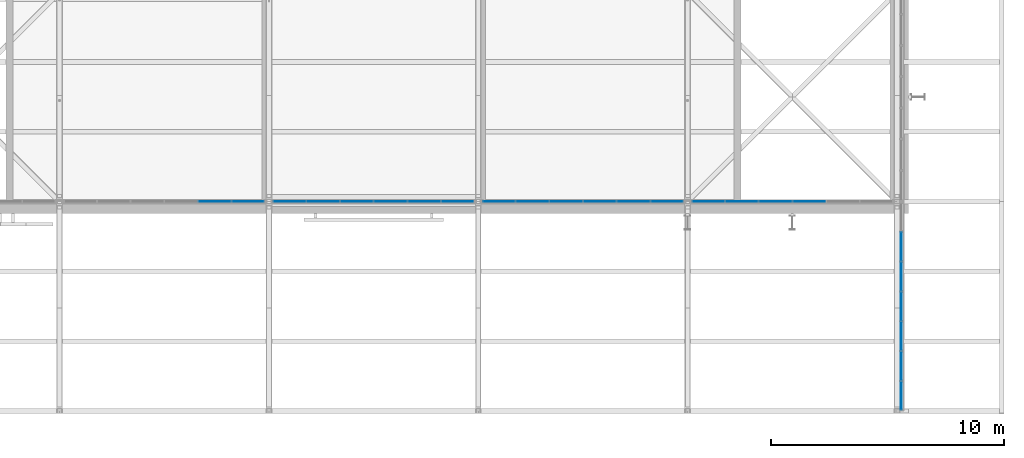
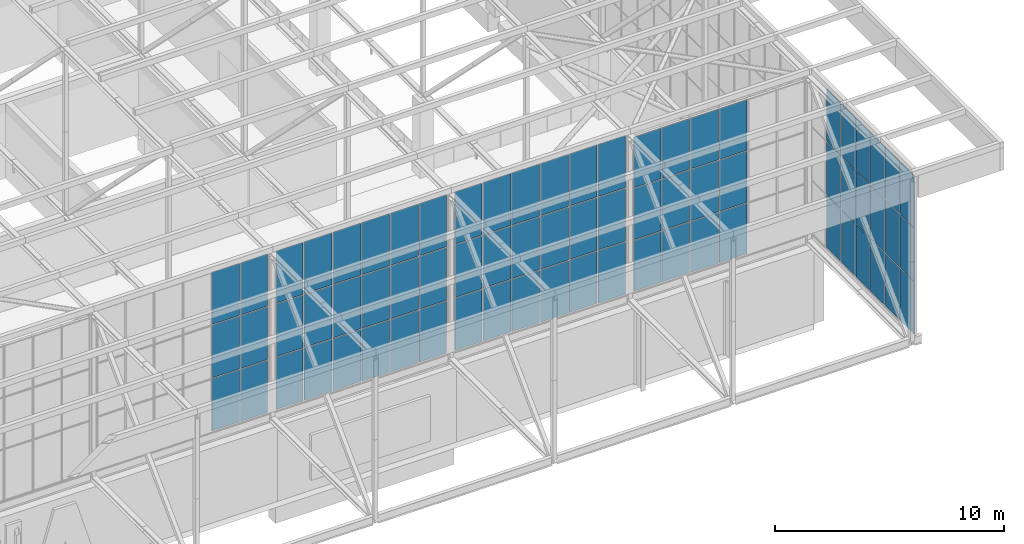
# One storey, part 152 of 646: 72 plates, 5 elements without a shape of their own.
"""IFC4 building model written with IfcOpenShell, lengths in metres."""

from ifc_helpers import new_model, si_unit, direction, frame, origin, origin_2d, place, context, subcontext, project, spatial, rectangle, extrude, material, layer, layer_set, type_object, element, aggregate, save


model = new_model("IFC4")

# Units and contexts
model_context = context("Model", 3, precision=1e-05, world=origin(), true_north=direction((0.0, 1.0)))
body_context = subcontext(model_context, "Body", "Model", "MODEL_VIEW")
ifc_project = project(units=[si_unit("LENGTHUNIT", "METRE"), si_unit("AREAUNIT", "SQUARE_METRE"), si_unit("VOLUMEUNIT", "CUBIC_METRE"), si_unit("PLANEANGLEUNIT", "RADIAN"), si_unit("MASSUNIT", "GRAM", prefix="KILO")], contexts=[model_context])

# Site, building, storey
site_placement = place(None, origin())
site = spatial("IfcSite", under=ifc_project, at=site_placement, CompositionType="ELEMENT")
building_placement = place(site_placement, origin())
building = spatial("IfcBuilding", under=site, at=building_placement, Name="Silverbay Arena", CompositionType="ELEMENT")
storey_placement = place(building_placement, frame((0.0, 0.0, 33.5)))
storey = spatial("IfcBuildingStorey", under=building, at=storey_placement, Name="L05", CompositionType="ELEMENT", Elevation=33.5)

# Curtain wall, plates
ifc_material_1 = material(Name="Aluminium framed glazing", Category="aluminium")
curtain_wall_type_1 = type_object("IfcCurtainWallType", Name="Curtain wall clerestory 8693 x 8540", PredefinedType="NOTDEFINED", material=ifc_material_1)
curtain_wall_1_placement = place(storey_placement, origin())
curtain_wall_1 = element("IfcCurtainWall", 1, at=curtain_wall_1_placement, inside=storey, type_object=curtain_wall_type_1, Name="ROOF CLERESTORY CURTAIN WALL south bay 14", PredefinedType="NOTDEFINED")
ifc_material_2 = material(Name="Laminated glass", Category="glass")
ifc_layer = layer(ifc_material_2, 0.028076171875)
ifc_layer_set = layer_set([ifc_layer], Name="Laminated glass")
plate_type = type_object("IfcPlateType", Name="Glass panel 28", PredefinedType="CURTAIN_PANEL", material=ifc_layer_set)
plate_1_placement = place(storey_placement, frame((177.673095703125, 18.0, 4.509765625), z_axis=(0.0, 0.0, 1.0), x_axis=(1.0, 0.0, 0.0)))
plate_1 = element("IfcPlate", 2, at=plate_1_placement, type_object=plate_type, Name="CW55 panel 5.1", PredefinedType="CURTAIN_PANEL", context=body_context, shape_type="SweptSolid", body=[
    extrude(rectangle(XDim=1.388671875, YDim=0.028076171875, at=origin_2d()), origin(), (0.0, 0.0, 1.0), 2.771728515625),
])
plate_2_placement = place(storey_placement, frame((177.673095703125, 18.0, 7.33154296875), z_axis=(0.0, 0.0, 1.0), x_axis=(1.0, 0.0, 0.0)))
plate_2 = element("IfcPlate", 3, at=plate_2_placement, type_object=plate_type, Name="CW55 panel 5.2", PredefinedType="CURTAIN_PANEL", context=body_context, shape_type="SweptSolid", body=[
    extrude(rectangle(XDim=1.388671875, YDim=0.028076171875, at=origin_2d()), origin(), (0.0, 0.0, 1.0), 2.796630859375),
])
plate_3_placement = place(storey_placement, frame((177.673095703125, 18.0, 10.17822265625), z_axis=(0.0, 0.0, 1.0), x_axis=(1.0, 0.0, 0.0)))
plate_3 = element("IfcPlate", 4, at=plate_3_placement, type_object=plate_type, Name="CW55 panel 5.3", PredefinedType="CURTAIN_PANEL", context=body_context, shape_type="SweptSolid", body=[
    extrude(rectangle(XDim=1.388671875, YDim=0.028076171875, at=origin_2d()), origin(), (0.0, 0.0, 1.0), 2.771728515625),
])
plate_4_placement = place(storey_placement, frame((179.10693359375, 18.0, 4.509765625), z_axis=(0.0, 0.0, 1.0), x_axis=(1.0, 0.0, 0.0)))
plate_4 = element("IfcPlate", 5, at=plate_4_placement, type_object=plate_type, Name="CW55 panel 6.1", PredefinedType="CURTAIN_PANEL", context=body_context, shape_type="SweptSolid", body=[
    extrude(rectangle(XDim=1.35888671875, YDim=0.028076171875, at=origin_2d()), origin(), (0.0, 0.0, 1.0), 2.771728515625),
])
plate_5_placement = place(storey_placement, frame((179.10693359375, 18.0, 7.33154296875), z_axis=(0.0, 0.0, 1.0), x_axis=(1.0, 0.0, 0.0)))
plate_5 = element("IfcPlate", 6, at=plate_5_placement, type_object=plate_type, Name="CW55 panel 6.2", PredefinedType="CURTAIN_PANEL", context=body_context, shape_type="SweptSolid", body=[
    extrude(rectangle(XDim=1.35888671875, YDim=0.028076171875, at=origin_2d()), origin(), (0.0, 0.0, 1.0), 2.796630859375),
])
plate_6_placement = place(storey_placement, frame((179.10693359375, 18.0, 10.17822265625), z_axis=(0.0, 0.0, 1.0), x_axis=(1.0, 0.0, 0.0)))
plate_6 = element("IfcPlate", 7, at=plate_6_placement, type_object=plate_type, Name="CW55 panel 6.3", PredefinedType="CURTAIN_PANEL", context=body_context, shape_type="SweptSolid", body=[
    extrude(rectangle(XDim=1.35888671875, YDim=0.028076171875, at=origin_2d()), origin(), (0.0, 0.0, 1.0), 2.771728515625),
])
aggregate(curtain_wall_1, [plate_1, plate_2, plate_3, plate_4, plate_5, plate_6])

curtain_wall_2_placement = place(storey_placement, origin())
curtain_wall_2 = element("IfcCurtainWall", 8, at=curtain_wall_2_placement, inside=storey, type_object=curtain_wall_type_1, Name="ROOF CLERESTORY CURTAIN WALL south bay 15", PredefinedType="NOTDEFINED")
plate_7_placement = place(storey_placement, frame((180.89306640625, 18.0, 4.509765625), z_axis=(0.0, 0.0, 1.0), x_axis=(1.0, 0.0, 0.0)))
plate_7 = element("IfcPlate", 9, at=plate_7_placement, type_object=plate_type, Name="CW55 panel 1.1", PredefinedType="CURTAIN_PANEL", context=body_context, shape_type="SweptSolid", body=[
    extrude(rectangle(XDim=1.35888671875, YDim=0.028076171875, at=origin_2d()), origin(), (0.0, 0.0, 1.0), 2.771728515625),
])
plate_8_placement = place(storey_placement, frame((180.89306640625, 18.0, 7.33154296875), z_axis=(0.0, 0.0, 1.0), x_axis=(1.0, 0.0, 0.0)))
plate_8 = element("IfcPlate", 10, at=plate_8_placement, type_object=plate_type, Name="CW55 panel 1.2", PredefinedType="CURTAIN_PANEL", context=body_context, shape_type="SweptSolid", body=[
    extrude(rectangle(XDim=1.35888671875, YDim=0.028076171875, at=origin_2d()), origin(), (0.0, 0.0, 1.0), 2.796630859375),
])
plate_9_placement = place(storey_placement, frame((180.89306640625, 18.0, 10.17822265625), z_axis=(0.0, 0.0, 1.0), x_axis=(1.0, 0.0, 0.0)))
plate_9 = element("IfcPlate", 11, at=plate_9_placement, type_object=plate_type, Name="CW55 panel 1.3", PredefinedType="CURTAIN_PANEL", context=body_context, shape_type="SweptSolid", body=[
    extrude(rectangle(XDim=1.35888671875, YDim=0.028076171875, at=origin_2d()), origin(), (0.0, 0.0, 1.0), 2.771728515625),
])
plate_10_placement = place(storey_placement, frame((182.326904296875, 18.0, 4.509765625), z_axis=(0.0, 0.0, 1.0), x_axis=(1.0, 0.0, 0.0)))
plate_10 = element("IfcPlate", 12, at=plate_10_placement, type_object=plate_type, Name="CW55 panel 2.1", PredefinedType="CURTAIN_PANEL", context=body_context, shape_type="SweptSolid", body=[
    extrude(rectangle(XDim=1.388671875, YDim=0.028076171875, at=origin_2d()), origin(), (0.0, 0.0, 1.0), 2.771728515625),
])
plate_11_placement = place(storey_placement, frame((182.326904296875, 18.0, 7.33154296875), z_axis=(0.0, 0.0, 1.0), x_axis=(1.0, 0.0, 0.0)))
plate_11 = element("IfcPlate", 13, at=plate_11_placement, type_object=plate_type, Name="CW55 panel 2.2", PredefinedType="CURTAIN_PANEL", context=body_context, shape_type="SweptSolid", body=[
    extrude(rectangle(XDim=1.388671875, YDim=0.028076171875, at=origin_2d()), origin(), (0.0, 0.0, 1.0), 2.796630859375),
])
plate_12_placement = place(storey_placement, frame((182.326904296875, 18.0, 10.17822265625), z_axis=(0.0, 0.0, 1.0), x_axis=(1.0, 0.0, 0.0)))
plate_12 = element("IfcPlate", 14, at=plate_12_placement, type_object=plate_type, Name="CW55 panel 2.3", PredefinedType="CURTAIN_PANEL", context=body_context, shape_type="SweptSolid", body=[
    extrude(rectangle(XDim=1.388671875, YDim=0.028076171875, at=origin_2d()), origin(), (0.0, 0.0, 1.0), 2.771728515625),
])
plate_13_placement = place(storey_placement, frame((183.775634765625, 18.0, 4.509765625), z_axis=(0.0, 0.0, 1.0), x_axis=(1.0, 0.0, 0.0)))
plate_13 = element("IfcPlate", 15, at=plate_13_placement, type_object=plate_type, Name="CW55 panel 3.1", PredefinedType="CURTAIN_PANEL", context=body_context, shape_type="SweptSolid", body=[
    extrude(rectangle(XDim=1.388671875, YDim=0.028076171875, at=origin_2d()), origin(), (0.0, 0.0, 1.0), 2.771728515625),
])
plate_14_placement = place(storey_placement, frame((183.775634765625, 18.0, 7.33154296875), z_axis=(0.0, 0.0, 1.0), x_axis=(1.0, 0.0, 0.0)))
plate_14 = element("IfcPlate", 16, at=plate_14_placement, type_object=plate_type, Name="CW55 panel 3.2", PredefinedType="CURTAIN_PANEL", context=body_context, shape_type="SweptSolid", body=[
    extrude(rectangle(XDim=1.388671875, YDim=0.028076171875, at=origin_2d()), origin(), (0.0, 0.0, 1.0), 2.796630859375),
])
plate_15_placement = place(storey_placement, frame((183.775634765625, 18.0, 10.17822265625), z_axis=(0.0, 0.0, 1.0), x_axis=(1.0, 0.0, 0.0)))
plate_15 = element("IfcPlate", 17, at=plate_15_placement, type_object=plate_type, Name="CW55 panel 3.3", PredefinedType="CURTAIN_PANEL", context=body_context, shape_type="SweptSolid", body=[
    extrude(rectangle(XDim=1.388671875, YDim=0.028076171875, at=origin_2d()), origin(), (0.0, 0.0, 1.0), 2.771728515625),
])
plate_16_placement = place(storey_placement, frame((185.224365234375, 18.0, 4.509765625), z_axis=(0.0, 0.0, 1.0), x_axis=(1.0, 0.0, 0.0)))
plate_16 = element("IfcPlate", 18, at=plate_16_placement, type_object=plate_type, Name="CW55 panel 4.1", PredefinedType="CURTAIN_PANEL", context=body_context, shape_type="SweptSolid", body=[
    extrude(rectangle(XDim=1.388671875, YDim=0.028076171875, at=origin_2d()), origin(), (0.0, 0.0, 1.0), 2.771728515625),
])
plate_17_placement = place(storey_placement, frame((185.224365234375, 18.0, 7.33154296875), z_axis=(0.0, 0.0, 1.0), x_axis=(1.0, 0.0, 0.0)))
plate_17 = element("IfcPlate", 19, at=plate_17_placement, type_object=plate_type, Name="CW55 panel 4.2", PredefinedType="CURTAIN_PANEL", context=body_context, shape_type="SweptSolid", body=[
    extrude(rectangle(XDim=1.388671875, YDim=0.028076171875, at=origin_2d()), origin(), (0.0, 0.0, 1.0), 2.796630859375),
])
plate_18_placement = place(storey_placement, frame((185.224365234375, 18.0, 10.17822265625), z_axis=(0.0, 0.0, 1.0), x_axis=(1.0, 0.0, 0.0)))
plate_18 = element("IfcPlate", 20, at=plate_18_placement, type_object=plate_type, Name="CW55 panel 4.3", PredefinedType="CURTAIN_PANEL", context=body_context, shape_type="SweptSolid", body=[
    extrude(rectangle(XDim=1.388671875, YDim=0.028076171875, at=origin_2d()), origin(), (0.0, 0.0, 1.0), 2.771728515625),
])
plate_19_placement = place(storey_placement, frame((186.673095703125, 18.0, 4.509765625), z_axis=(0.0, 0.0, 1.0), x_axis=(1.0, 0.0, 0.0)))
plate_19 = element("IfcPlate", 21, at=plate_19_placement, type_object=plate_type, Name="CW55 panel 5.1", PredefinedType="CURTAIN_PANEL", context=body_context, shape_type="SweptSolid", body=[
    extrude(rectangle(XDim=1.388671875, YDim=0.028076171875, at=origin_2d()), origin(), (0.0, 0.0, 1.0), 2.771728515625),
])
plate_20_placement = place(storey_placement, frame((186.673095703125, 18.0, 7.33154296875), z_axis=(0.0, 0.0, 1.0), x_axis=(1.0, 0.0, 0.0)))
plate_20 = element("IfcPlate", 22, at=plate_20_placement, type_object=plate_type, Name="CW55 panel 5.2", PredefinedType="CURTAIN_PANEL", context=body_context, shape_type="SweptSolid", body=[
    extrude(rectangle(XDim=1.388671875, YDim=0.028076171875, at=origin_2d()), origin(), (0.0, 0.0, 1.0), 2.796630859375),
])
plate_21_placement = place(storey_placement, frame((186.673095703125, 18.0, 10.17822265625), z_axis=(0.0, 0.0, 1.0), x_axis=(1.0, 0.0, 0.0)))
plate_21 = element("IfcPlate", 23, at=plate_21_placement, type_object=plate_type, Name="CW55 panel 5.3", PredefinedType="CURTAIN_PANEL", context=body_context, shape_type="SweptSolid", body=[
    extrude(rectangle(XDim=1.388671875, YDim=0.028076171875, at=origin_2d()), origin(), (0.0, 0.0, 1.0), 2.771728515625),
])
plate_22_placement = place(storey_placement, frame((188.10693359375, 18.0, 4.509765625), z_axis=(0.0, 0.0, 1.0), x_axis=(1.0, 0.0, 0.0)))
plate_22 = element("IfcPlate", 24, at=plate_22_placement, type_object=plate_type, Name="CW55 panel 6.1", PredefinedType="CURTAIN_PANEL", context=body_context, shape_type="SweptSolid", body=[
    extrude(rectangle(XDim=1.35888671875, YDim=0.028076171875, at=origin_2d()), origin(), (0.0, 0.0, 1.0), 2.771728515625),
])
plate_23_placement = place(storey_placement, frame((188.10693359375, 18.0, 7.33154296875), z_axis=(0.0, 0.0, 1.0), x_axis=(1.0, 0.0, 0.0)))
plate_23 = element("IfcPlate", 25, at=plate_23_placement, type_object=plate_type, Name="CW55 panel 6.2", PredefinedType="CURTAIN_PANEL", context=body_context, shape_type="SweptSolid", body=[
    extrude(rectangle(XDim=1.35888671875, YDim=0.028076171875, at=origin_2d()), origin(), (0.0, 0.0, 1.0), 2.796630859375),
])
plate_24_placement = place(storey_placement, frame((188.10693359375, 18.0, 10.17822265625), z_axis=(0.0, 0.0, 1.0), x_axis=(1.0, 0.0, 0.0)))
plate_24 = element("IfcPlate", 26, at=plate_24_placement, type_object=plate_type, Name="CW55 panel 6.3", PredefinedType="CURTAIN_PANEL", context=body_context, shape_type="SweptSolid", body=[
    extrude(rectangle(XDim=1.35888671875, YDim=0.028076171875, at=origin_2d()), origin(), (0.0, 0.0, 1.0), 2.771728515625),
])
aggregate(curtain_wall_2, [plate_7, plate_8, plate_9, plate_10, plate_11, plate_12, plate_13, plate_14, plate_15, plate_16, plate_17, plate_18, plate_19, plate_20, plate_21, plate_22, plate_23, plate_24])

curtain_wall_3_placement = place(storey_placement, origin())
curtain_wall_3 = element("IfcCurtainWall", 27, at=curtain_wall_3_placement, inside=storey, type_object=curtain_wall_type_1, Name="ROOF CLERESTORY CURTAIN WALL south bay 16", PredefinedType="NOTDEFINED")
plate_25_placement = place(storey_placement, frame((189.89306640625, 18.0, 4.509765625), z_axis=(0.0, 0.0, 1.0), x_axis=(1.0, 0.0, 0.0)))
plate_25 = element("IfcPlate", 28, at=plate_25_placement, type_object=plate_type, Name="CW55 panel 1.1", PredefinedType="CURTAIN_PANEL", context=body_context, shape_type="SweptSolid", body=[
    extrude(rectangle(XDim=1.35888671875, YDim=0.028076171875, at=origin_2d()), origin(), (0.0, 0.0, 1.0), 2.771728515625),
])
plate_26_placement = place(storey_placement, frame((189.89306640625, 18.0, 7.33154296875), z_axis=(0.0, 0.0, 1.0), x_axis=(1.0, 0.0, 0.0)))
plate_26 = element("IfcPlate", 29, at=plate_26_placement, type_object=plate_type, Name="CW55 panel 1.2", PredefinedType="CURTAIN_PANEL", context=body_context, shape_type="SweptSolid", body=[
    extrude(rectangle(XDim=1.35888671875, YDim=0.028076171875, at=origin_2d()), origin(), (0.0, 0.0, 1.0), 2.796630859375),
])
plate_27_placement = place(storey_placement, frame((189.89306640625, 18.0, 10.17822265625), z_axis=(0.0, 0.0, 1.0), x_axis=(1.0, 0.0, 0.0)))
plate_27 = element("IfcPlate", 30, at=plate_27_placement, type_object=plate_type, Name="CW55 panel 1.3", PredefinedType="CURTAIN_PANEL", context=body_context, shape_type="SweptSolid", body=[
    extrude(rectangle(XDim=1.35888671875, YDim=0.028076171875, at=origin_2d()), origin(), (0.0, 0.0, 1.0), 2.771728515625),
])
plate_28_placement = place(storey_placement, frame((191.326904296875, 18.0, 4.509765625), z_axis=(0.0, 0.0, 1.0), x_axis=(1.0, 0.0, 0.0)))
plate_28 = element("IfcPlate", 31, at=plate_28_placement, type_object=plate_type, Name="CW55 panel 2.1", PredefinedType="CURTAIN_PANEL", context=body_context, shape_type="SweptSolid", body=[
    extrude(rectangle(XDim=1.388671875, YDim=0.028076171875, at=origin_2d()), origin(), (0.0, 0.0, 1.0), 2.771728515625),
])
plate_29_placement = place(storey_placement, frame((191.326904296875, 18.0, 7.33154296875), z_axis=(0.0, 0.0, 1.0), x_axis=(1.0, 0.0, 0.0)))
plate_29 = element("IfcPlate", 32, at=plate_29_placement, type_object=plate_type, Name="CW55 panel 2.2", PredefinedType="CURTAIN_PANEL", context=body_context, shape_type="SweptSolid", body=[
    extrude(rectangle(XDim=1.388671875, YDim=0.028076171875, at=origin_2d()), origin(), (0.0, 0.0, 1.0), 2.796630859375),
])
plate_30_placement = place(storey_placement, frame((191.326904296875, 18.0, 10.17822265625), z_axis=(0.0, 0.0, 1.0), x_axis=(1.0, 0.0, 0.0)))
plate_30 = element("IfcPlate", 33, at=plate_30_placement, type_object=plate_type, Name="CW55 panel 2.3", PredefinedType="CURTAIN_PANEL", context=body_context, shape_type="SweptSolid", body=[
    extrude(rectangle(XDim=1.388671875, YDim=0.028076171875, at=origin_2d()), origin(), (0.0, 0.0, 1.0), 2.771728515625),
])
plate_31_placement = place(storey_placement, frame((192.775634765625, 18.0, 4.509765625), z_axis=(0.0, 0.0, 1.0), x_axis=(1.0, 0.0, 0.0)))
plate_31 = element("IfcPlate", 34, at=plate_31_placement, type_object=plate_type, Name="CW55 panel 3.1", PredefinedType="CURTAIN_PANEL", context=body_context, shape_type="SweptSolid", body=[
    extrude(rectangle(XDim=1.388671875, YDim=0.028076171875, at=origin_2d()), origin(), (0.0, 0.0, 1.0), 2.771728515625),
])
plate_32_placement = place(storey_placement, frame((192.775634765625, 18.0, 7.33154296875), z_axis=(0.0, 0.0, 1.0), x_axis=(1.0, 0.0, 0.0)))
plate_32 = element("IfcPlate", 35, at=plate_32_placement, type_object=plate_type, Name="CW55 panel 3.2", PredefinedType="CURTAIN_PANEL", context=body_context, shape_type="SweptSolid", body=[
    extrude(rectangle(XDim=1.388671875, YDim=0.028076171875, at=origin_2d()), origin(), (0.0, 0.0, 1.0), 2.796630859375),
])
plate_33_placement = place(storey_placement, frame((192.775634765625, 18.0, 10.17822265625), z_axis=(0.0, 0.0, 1.0), x_axis=(1.0, 0.0, 0.0)))
plate_33 = element("IfcPlate", 36, at=plate_33_placement, type_object=plate_type, Name="CW55 panel 3.3", PredefinedType="CURTAIN_PANEL", context=body_context, shape_type="SweptSolid", body=[
    extrude(rectangle(XDim=1.388671875, YDim=0.028076171875, at=origin_2d()), origin(), (0.0, 0.0, 1.0), 2.771728515625),
])
plate_34_placement = place(storey_placement, frame((194.224365234375, 18.0, 4.509765625), z_axis=(0.0, 0.0, 1.0), x_axis=(1.0, 0.0, 0.0)))
plate_34 = element("IfcPlate", 37, at=plate_34_placement, type_object=plate_type, Name="CW55 panel 4.1", PredefinedType="CURTAIN_PANEL", context=body_context, shape_type="SweptSolid", body=[
    extrude(rectangle(XDim=1.388671875, YDim=0.028076171875, at=origin_2d()), origin(), (0.0, 0.0, 1.0), 2.771728515625),
])
plate_35_placement = place(storey_placement, frame((194.224365234375, 18.0, 7.33154296875), z_axis=(0.0, 0.0, 1.0), x_axis=(1.0, 0.0, 0.0)))
plate_35 = element("IfcPlate", 38, at=plate_35_placement, type_object=plate_type, Name="CW55 panel 4.2", PredefinedType="CURTAIN_PANEL", context=body_context, shape_type="SweptSolid", body=[
    extrude(rectangle(XDim=1.388671875, YDim=0.028076171875, at=origin_2d()), origin(), (0.0, 0.0, 1.0), 2.796630859375),
])
plate_36_placement = place(storey_placement, frame((194.224365234375, 18.0, 10.17822265625), z_axis=(0.0, 0.0, 1.0), x_axis=(1.0, 0.0, 0.0)))
plate_36 = element("IfcPlate", 39, at=plate_36_placement, type_object=plate_type, Name="CW55 panel 4.3", PredefinedType="CURTAIN_PANEL", context=body_context, shape_type="SweptSolid", body=[
    extrude(rectangle(XDim=1.388671875, YDim=0.028076171875, at=origin_2d()), origin(), (0.0, 0.0, 1.0), 2.771728515625),
])
plate_37_placement = place(storey_placement, frame((195.673095703125, 18.0, 4.509765625), z_axis=(0.0, 0.0, 1.0), x_axis=(1.0, 0.0, 0.0)))
plate_37 = element("IfcPlate", 40, at=plate_37_placement, type_object=plate_type, Name="CW55 panel 5.1", PredefinedType="CURTAIN_PANEL", context=body_context, shape_type="SweptSolid", body=[
    extrude(rectangle(XDim=1.388671875, YDim=0.028076171875, at=origin_2d()), origin(), (0.0, 0.0, 1.0), 2.771728515625),
])
plate_38_placement = place(storey_placement, frame((195.673095703125, 18.0, 7.33154296875), z_axis=(0.0, 0.0, 1.0), x_axis=(1.0, 0.0, 0.0)))
plate_38 = element("IfcPlate", 41, at=plate_38_placement, type_object=plate_type, Name="CW55 panel 5.2", PredefinedType="CURTAIN_PANEL", context=body_context, shape_type="SweptSolid", body=[
    extrude(rectangle(XDim=1.388671875, YDim=0.028076171875, at=origin_2d()), origin(), (0.0, 0.0, 1.0), 2.796630859375),
])
plate_39_placement = place(storey_placement, frame((195.673095703125, 18.0, 10.17822265625), z_axis=(0.0, 0.0, 1.0), x_axis=(1.0, 0.0, 0.0)))
plate_39 = element("IfcPlate", 42, at=plate_39_placement, type_object=plate_type, Name="CW55 panel 5.3", PredefinedType="CURTAIN_PANEL", context=body_context, shape_type="SweptSolid", body=[
    extrude(rectangle(XDim=1.388671875, YDim=0.028076171875, at=origin_2d()), origin(), (0.0, 0.0, 1.0), 2.771728515625),
])
plate_40_placement = place(storey_placement, frame((197.10693359375, 18.0, 4.509765625), z_axis=(0.0, 0.0, 1.0), x_axis=(1.0, 0.0, 0.0)))
plate_40 = element("IfcPlate", 43, at=plate_40_placement, type_object=plate_type, Name="CW55 panel 6.1", PredefinedType="CURTAIN_PANEL", context=body_context, shape_type="SweptSolid", body=[
    extrude(rectangle(XDim=1.35888671875, YDim=0.028076171875, at=origin_2d()), origin(), (0.0, 0.0, 1.0), 2.771728515625),
])
plate_41_placement = place(storey_placement, frame((197.10693359375, 18.0, 7.33154296875), z_axis=(0.0, 0.0, 1.0), x_axis=(1.0, 0.0, 0.0)))
plate_41 = element("IfcPlate", 44, at=plate_41_placement, type_object=plate_type, Name="CW55 panel 6.2", PredefinedType="CURTAIN_PANEL", context=body_context, shape_type="SweptSolid", body=[
    extrude(rectangle(XDim=1.35888671875, YDim=0.028076171875, at=origin_2d()), origin(), (0.0, 0.0, 1.0), 2.796630859375),
])
plate_42_placement = place(storey_placement, frame((197.10693359375, 18.0, 10.17822265625), z_axis=(0.0, 0.0, 1.0), x_axis=(1.0, 0.0, 0.0)))
plate_42 = element("IfcPlate", 45, at=plate_42_placement, type_object=plate_type, Name="CW55 panel 6.3", PredefinedType="CURTAIN_PANEL", context=body_context, shape_type="SweptSolid", body=[
    extrude(rectangle(XDim=1.35888671875, YDim=0.028076171875, at=origin_2d()), origin(), (0.0, 0.0, 1.0), 2.771728515625),
])
aggregate(curtain_wall_3, [plate_25, plate_26, plate_27, plate_28, plate_29, plate_30, plate_31, plate_32, plate_33, plate_34, plate_35, plate_36, plate_37, plate_38, plate_39, plate_40, plate_41, plate_42])

ifc_material_3 = material(Name="Aluminium framed glazing", Category="aluminium")
curtain_wall_type_2 = type_object("IfcCurtainWallType", Name="Curtain wall clerestory 8693 x 8303", PredefinedType="NOTDEFINED", material=ifc_material_3)
curtain_wall_4_placement = place(storey_placement, origin())
curtain_wall_4 = element("IfcCurtainWall", 46, at=curtain_wall_4_placement, inside=storey, type_object=curtain_wall_type_2, Name="ROOF CLERESTORY CURTAIN WALL south bay 17", PredefinedType="NOTDEFINED")
plate_43_placement = place(storey_placement, frame((198.89306640625, 18.0, 4.510009765625), z_axis=(0.0, 0.0, 1.0), x_axis=(1.0, 0.0, 0.0)))
plate_43 = element("IfcPlate", 47, at=plate_43_placement, type_object=plate_type, Name="CW54 panel 1.1", PredefinedType="CURTAIN_PANEL", context=body_context, shape_type="SweptSolid", body=[
    extrude(rectangle(XDim=1.35888671875, YDim=0.028076171875, at=origin_2d()), origin(), (0.0, 0.0, 1.0), 2.69287109375),
])
plate_44_placement = place(storey_placement, frame((198.89306640625, 18.0, 7.2529296875), z_axis=(0.0, 0.0, 1.0), x_axis=(1.0, 0.0, 0.0)))
plate_44 = element("IfcPlate", 48, at=plate_44_placement, type_object=plate_type, Name="CW54 panel 1.2", PredefinedType="CURTAIN_PANEL", context=body_context, shape_type="SweptSolid", body=[
    extrude(rectangle(XDim=1.35888671875, YDim=0.028076171875, at=origin_2d()), origin(), (0.0, 0.0, 1.0), 2.7177734375),
])
plate_45_placement = place(storey_placement, frame((198.89306640625, 18.0, 10.0205078125), z_axis=(0.0, 0.0, 1.0), x_axis=(1.0, 0.0, 0.0)))
plate_45 = element("IfcPlate", 49, at=plate_45_placement, type_object=plate_type, Name="CW54 panel 1.3", PredefinedType="CURTAIN_PANEL", context=body_context, shape_type="SweptSolid", body=[
    extrude(rectangle(XDim=1.35888671875, YDim=0.028076171875, at=origin_2d()), origin(), (0.0, 0.0, 1.0), 2.69287109375),
])
plate_46_placement = place(storey_placement, frame((200.326904296875, 18.0, 4.510009765625), z_axis=(0.0, 0.0, 1.0), x_axis=(1.0, 0.0, 0.0)))
plate_46 = element("IfcPlate", 50, at=plate_46_placement, type_object=plate_type, Name="CW54 panel 2.1", PredefinedType="CURTAIN_PANEL", context=body_context, shape_type="SweptSolid", body=[
    extrude(rectangle(XDim=1.388671875, YDim=0.028076171875, at=origin_2d()), origin(), (0.0, 0.0, 1.0), 2.69287109375),
])
plate_47_placement = place(storey_placement, frame((200.326904296875, 18.0, 7.2529296875), z_axis=(0.0, 0.0, 1.0), x_axis=(1.0, 0.0, 0.0)))
plate_47 = element("IfcPlate", 51, at=plate_47_placement, type_object=plate_type, Name="CW54 panel 2.2", PredefinedType="CURTAIN_PANEL", context=body_context, shape_type="SweptSolid", body=[
    extrude(rectangle(XDim=1.388671875, YDim=0.028076171875, at=origin_2d()), origin(), (0.0, 0.0, 1.0), 2.7177734375),
])
plate_48_placement = place(storey_placement, frame((200.326904296875, 18.0, 10.0205078125), z_axis=(0.0, 0.0, 1.0), x_axis=(1.0, 0.0, 0.0)))
plate_48 = element("IfcPlate", 52, at=plate_48_placement, type_object=plate_type, Name="CW54 panel 2.3", PredefinedType="CURTAIN_PANEL", context=body_context, shape_type="SweptSolid", body=[
    extrude(rectangle(XDim=1.388671875, YDim=0.028076171875, at=origin_2d()), origin(), (0.0, 0.0, 1.0), 2.69287109375),
])
plate_49_placement = place(storey_placement, frame((201.775634765625, 18.0, 4.510009765625), z_axis=(0.0, 0.0, 1.0), x_axis=(1.0, 0.0, 0.0)))
plate_49 = element("IfcPlate", 53, at=plate_49_placement, type_object=plate_type, Name="CW54 panel 3.1", PredefinedType="CURTAIN_PANEL", context=body_context, shape_type="SweptSolid", body=[
    extrude(rectangle(XDim=1.388671875, YDim=0.028076171875, at=origin_2d()), origin(), (0.0, 0.0, 1.0), 2.69287109375),
])
plate_50_placement = place(storey_placement, frame((201.775634765625, 18.0, 7.2529296875), z_axis=(0.0, 0.0, 1.0), x_axis=(1.0, 0.0, 0.0)))
plate_50 = element("IfcPlate", 54, at=plate_50_placement, type_object=plate_type, Name="CW54 panel 3.2", PredefinedType="CURTAIN_PANEL", context=body_context, shape_type="SweptSolid", body=[
    extrude(rectangle(XDim=1.388671875, YDim=0.028076171875, at=origin_2d()), origin(), (0.0, 0.0, 1.0), 2.7177734375),
])
plate_51_placement = place(storey_placement, frame((201.775634765625, 18.0, 10.0205078125), z_axis=(0.0, 0.0, 1.0), x_axis=(1.0, 0.0, 0.0)))
plate_51 = element("IfcPlate", 55, at=plate_51_placement, type_object=plate_type, Name="CW54 panel 3.3", PredefinedType="CURTAIN_PANEL", context=body_context, shape_type="SweptSolid", body=[
    extrude(rectangle(XDim=1.388671875, YDim=0.028076171875, at=origin_2d()), origin(), (0.0, 0.0, 1.0), 2.69287109375),
])
plate_52_placement = place(storey_placement, frame((203.224365234375, 18.0, 4.510009765625), z_axis=(0.0, 0.0, 1.0), x_axis=(1.0, 0.0, 0.0)))
plate_52 = element("IfcPlate", 56, at=plate_52_placement, type_object=plate_type, Name="CW54 panel 4.1", PredefinedType="CURTAIN_PANEL", context=body_context, shape_type="SweptSolid", body=[
    extrude(rectangle(XDim=1.388671875, YDim=0.028076171875, at=origin_2d()), origin(), (0.0, 0.0, 1.0), 2.69287109375),
])
plate_53_placement = place(storey_placement, frame((203.224365234375, 18.0, 7.2529296875), z_axis=(0.0, 0.0, 1.0), x_axis=(1.0, 0.0, 0.0)))
plate_53 = element("IfcPlate", 57, at=plate_53_placement, type_object=plate_type, Name="CW54 panel 4.2", PredefinedType="CURTAIN_PANEL", context=body_context, shape_type="SweptSolid", body=[
    extrude(rectangle(XDim=1.388671875, YDim=0.028076171875, at=origin_2d()), origin(), (0.0, 0.0, 1.0), 2.7177734375),
])
plate_54_placement = place(storey_placement, frame((203.224365234375, 18.0, 10.0205078125), z_axis=(0.0, 0.0, 1.0), x_axis=(1.0, 0.0, 0.0)))
plate_54 = element("IfcPlate", 58, at=plate_54_placement, type_object=plate_type, Name="CW54 panel 4.3", PredefinedType="CURTAIN_PANEL", context=body_context, shape_type="SweptSolid", body=[
    extrude(rectangle(XDim=1.388671875, YDim=0.028076171875, at=origin_2d()), origin(), (0.0, 0.0, 1.0), 2.69287109375),
])
aggregate(curtain_wall_4, [plate_43, plate_44, plate_45, plate_46, plate_47, plate_48, plate_49, plate_50, plate_51, plate_52, plate_53, plate_54])

ifc_material_4 = material(Name="Aluminium framed glazing", Category="aluminium")
curtain_wall_type_3 = type_object("IfcCurtainWallType", Name="Curtain wall clerestory 9000 x 8547", PredefinedType="NOTDEFINED", material=ifc_material_4)
curtain_wall_5_placement = place(storey_placement, origin())
curtain_wall_5 = element("IfcCurtainWall", 59, at=curtain_wall_5_placement, inside=storey, type_object=curtain_wall_type_3, Name="ROOF GABLE CLERESTORY CURTAIN WALL east bay 01", PredefinedType="NOTDEFINED")
plate_55_placement = place(storey_placement, frame((207.179931640625, 9.657958984375, 4.50341796875), z_axis=(0.0, 0.0, 1.0), x_axis=(0.0, 1.0, 0.0)))
plate_55 = element("IfcPlate", 60, at=plate_55_placement, type_object=plate_type, Name="CW57 panel 1.1", PredefinedType="CURTAIN_PANEL", context=body_context, shape_type="SweptSolid", body=[
    extrude(rectangle(XDim=1.19580078125, YDim=0.028076171875, at=origin_2d()), origin(), (0.0, 0.0, 1.0), 2.77392578125),
])
plate_56_placement = place(storey_placement, frame((207.179931640625, 9.657958984375, 7.327392578125), z_axis=(0.0, 0.0, 1.0), x_axis=(0.0, 1.0, 0.0)))
plate_56 = element("IfcPlate", 61, at=plate_56_placement, type_object=plate_type, Name="CW57 panel 1.2", PredefinedType="CURTAIN_PANEL", context=body_context, shape_type="SweptSolid", body=[
    extrude(rectangle(XDim=1.19580078125, YDim=0.028076171875, at=origin_2d()), origin(), (0.0, 0.0, 1.0), 2.798828125),
])
plate_57_placement = place(storey_placement, frame((207.179931640625, 9.657958984375, 10.176025390625), z_axis=(0.0, 0.0, 1.0), x_axis=(0.0, 1.0, 0.0)))
plate_57 = element("IfcPlate", 62, at=plate_57_placement, type_object=plate_type, Name="CW57 panel 1.3", PredefinedType="CURTAIN_PANEL", context=body_context, shape_type="SweptSolid", body=[
    extrude(rectangle(XDim=1.19580078125, YDim=0.028076171875, at=origin_2d()), origin(), (0.0, 0.0, 1.0), 2.77392578125),
])
plate_58_placement = place(storey_placement, frame((207.179931640625, 10.928466796875, 4.50341796875), z_axis=(0.0, 0.0, 1.0), x_axis=(0.0, 1.0, 0.0)))
plate_58 = element("IfcPlate", 63, at=plate_58_placement, type_object=plate_type, Name="CW57 panel 2.1", PredefinedType="CURTAIN_PANEL", context=body_context, shape_type="SweptSolid", body=[
    extrude(rectangle(XDim=1.225830078125, YDim=0.028076171875, at=origin_2d()), origin(), (0.0, 0.0, 1.0), 2.77392578125),
])
plate_59_placement = place(storey_placement, frame((207.179931640625, 10.928466796875, 7.327392578125), z_axis=(0.0, 0.0, 1.0), x_axis=(0.0, 1.0, 0.0)))
plate_59 = element("IfcPlate", 64, at=plate_59_placement, type_object=plate_type, Name="CW57 panel 2.2", PredefinedType="CURTAIN_PANEL", context=body_context, shape_type="SweptSolid", body=[
    extrude(rectangle(XDim=1.225830078125, YDim=0.028076171875, at=origin_2d()), origin(), (0.0, 0.0, 1.0), 2.798828125),
])
plate_60_placement = place(storey_placement, frame((207.179931640625, 10.928466796875, 10.176025390625), z_axis=(0.0, 0.0, 1.0), x_axis=(0.0, 1.0, 0.0)))
plate_60 = element("IfcPlate", 65, at=plate_60_placement, type_object=plate_type, Name="CW57 panel 2.3", PredefinedType="CURTAIN_PANEL", context=body_context, shape_type="SweptSolid", body=[
    extrude(rectangle(XDim=1.225830078125, YDim=0.028076171875, at=origin_2d()), origin(), (0.0, 0.0, 1.0), 2.77392578125),
])
plate_61_placement = place(storey_placement, frame((207.179931640625, 12.21435546875, 4.50341796875), z_axis=(0.0, 0.0, 1.0), x_axis=(0.0, 1.0, 0.0)))
plate_61 = element("IfcPlate", 66, at=plate_61_placement, type_object=plate_type, Name="CW57 panel 3.1", PredefinedType="CURTAIN_PANEL", context=body_context, shape_type="SweptSolid", body=[
    extrude(rectangle(XDim=1.225830078125, YDim=0.028076171875, at=origin_2d()), origin(), (0.0, 0.0, 1.0), 2.77392578125),
])
plate_62_placement = place(storey_placement, frame((207.179931640625, 12.21435546875, 7.327392578125), z_axis=(0.0, 0.0, 1.0), x_axis=(0.0, 1.0, 0.0)))
plate_62 = element("IfcPlate", 67, at=plate_62_placement, type_object=plate_type, Name="CW57 panel 3.2", PredefinedType="CURTAIN_PANEL", context=body_context, shape_type="SweptSolid", body=[
    extrude(rectangle(XDim=1.225830078125, YDim=0.028076171875, at=origin_2d()), origin(), (0.0, 0.0, 1.0), 2.798828125),
])
plate_63_placement = place(storey_placement, frame((207.179931640625, 12.21435546875, 10.176025390625), z_axis=(0.0, 0.0, 1.0), x_axis=(0.0, 1.0, 0.0)))
plate_63 = element("IfcPlate", 68, at=plate_63_placement, type_object=plate_type, Name="CW57 panel 3.3", PredefinedType="CURTAIN_PANEL", context=body_context, shape_type="SweptSolid", body=[
    extrude(rectangle(XDim=1.225830078125, YDim=0.028076171875, at=origin_2d()), origin(), (0.0, 0.0, 1.0), 2.77392578125),
])
plate_64_placement = place(storey_placement, frame((207.179931640625, 13.5, 4.50341796875), z_axis=(0.0, 0.0, 1.0), x_axis=(0.0, 1.0, 0.0)))
plate_64 = element("IfcPlate", 69, at=plate_64_placement, type_object=plate_type, Name="CW57 panel 4.1", PredefinedType="CURTAIN_PANEL", context=body_context, shape_type="SweptSolid", body=[
    extrude(rectangle(XDim=1.225830078125, YDim=0.028076171875, at=origin_2d()), origin(), (0.0, 0.0, 1.0), 2.77392578125),
])
plate_65_placement = place(storey_placement, frame((207.179931640625, 13.5, 7.327392578125), z_axis=(0.0, 0.0, 1.0), x_axis=(0.0, 1.0, 0.0)))
plate_65 = element("IfcPlate", 70, at=plate_65_placement, type_object=plate_type, Name="CW57 panel 4.2", PredefinedType="CURTAIN_PANEL", context=body_context, shape_type="SweptSolid", body=[
    extrude(rectangle(XDim=1.225830078125, YDim=0.028076171875, at=origin_2d()), origin(), (0.0, 0.0, 1.0), 2.798828125),
])
plate_66_placement = place(storey_placement, frame((207.179931640625, 13.5, 10.176025390625), z_axis=(0.0, 0.0, 1.0), x_axis=(0.0, 1.0, 0.0)))
plate_66 = element("IfcPlate", 71, at=plate_66_placement, type_object=plate_type, Name="CW57 panel 4.3", PredefinedType="CURTAIN_PANEL", context=body_context, shape_type="SweptSolid", body=[
    extrude(rectangle(XDim=1.225830078125, YDim=0.028076171875, at=origin_2d()), origin(), (0.0, 0.0, 1.0), 2.77392578125),
])
plate_67_placement = place(storey_placement, frame((207.179931640625, 14.78564453125, 4.50341796875), z_axis=(0.0, 0.0, 1.0), x_axis=(0.0, 1.0, 0.0)))
plate_67 = element("IfcPlate", 72, at=plate_67_placement, type_object=plate_type, Name="CW57 panel 5.1", PredefinedType="CURTAIN_PANEL", context=body_context, shape_type="SweptSolid", body=[
    extrude(rectangle(XDim=1.225830078125, YDim=0.028076171875, at=origin_2d()), origin(), (0.0, 0.0, 1.0), 2.77392578125),
])
plate_68_placement = place(storey_placement, frame((207.179931640625, 14.78564453125, 7.327392578125), z_axis=(0.0, 0.0, 1.0), x_axis=(0.0, 1.0, 0.0)))
plate_68 = element("IfcPlate", 73, at=plate_68_placement, type_object=plate_type, Name="CW57 panel 5.2", PredefinedType="CURTAIN_PANEL", context=body_context, shape_type="SweptSolid", body=[
    extrude(rectangle(XDim=1.225830078125, YDim=0.028076171875, at=origin_2d()), origin(), (0.0, 0.0, 1.0), 2.798828125),
])
plate_69_placement = place(storey_placement, frame((207.179931640625, 14.78564453125, 10.176025390625), z_axis=(0.0, 0.0, 1.0), x_axis=(0.0, 1.0, 0.0)))
plate_69 = element("IfcPlate", 74, at=plate_69_placement, type_object=plate_type, Name="CW57 panel 5.3", PredefinedType="CURTAIN_PANEL", context=body_context, shape_type="SweptSolid", body=[
    extrude(rectangle(XDim=1.225830078125, YDim=0.028076171875, at=origin_2d()), origin(), (0.0, 0.0, 1.0), 2.77392578125),
])
plate_70_placement = place(storey_placement, frame((207.179931640625, 16.071533203125, 4.50341796875), z_axis=(0.0, 0.0, 1.0), x_axis=(0.0, 1.0, 0.0)))
plate_70 = element("IfcPlate", 75, at=plate_70_placement, type_object=plate_type, Name="CW57 panel 6.1", PredefinedType="CURTAIN_PANEL", context=body_context, shape_type="SweptSolid", body=[
    extrude(rectangle(XDim=1.225830078125, YDim=0.028076171875, at=origin_2d()), origin(), (0.0, 0.0, 1.0), 2.77392578125),
])
plate_71_placement = place(storey_placement, frame((207.179931640625, 16.071533203125, 7.327392578125), z_axis=(0.0, 0.0, 1.0), x_axis=(0.0, 1.0, 0.0)))
plate_71 = element("IfcPlate", 76, at=plate_71_placement, type_object=plate_type, Name="CW57 panel 6.2", PredefinedType="CURTAIN_PANEL", context=body_context, shape_type="SweptSolid", body=[
    extrude(rectangle(XDim=1.225830078125, YDim=0.028076171875, at=origin_2d()), origin(), (0.0, 0.0, 1.0), 2.798828125),
])
plate_72_placement = place(storey_placement, frame((207.179931640625, 16.071533203125, 10.176025390625), z_axis=(0.0, 0.0, 1.0), x_axis=(0.0, 1.0, 0.0)))
plate_72 = element("IfcPlate", 77, at=plate_72_placement, type_object=plate_type, Name="CW57 panel 6.3", PredefinedType="CURTAIN_PANEL", context=body_context, shape_type="SweptSolid", body=[
    extrude(rectangle(XDim=1.225830078125, YDim=0.028076171875, at=origin_2d()), origin(), (0.0, 0.0, 1.0), 2.77392578125),
])
aggregate(curtain_wall_5, [plate_55, plate_56, plate_57, plate_58, plate_59, plate_60, plate_61, plate_62, plate_63, plate_64, plate_65, plate_66, plate_67, plate_68, plate_69, plate_70, plate_71, plate_72])

save(model, "model.ifc")
